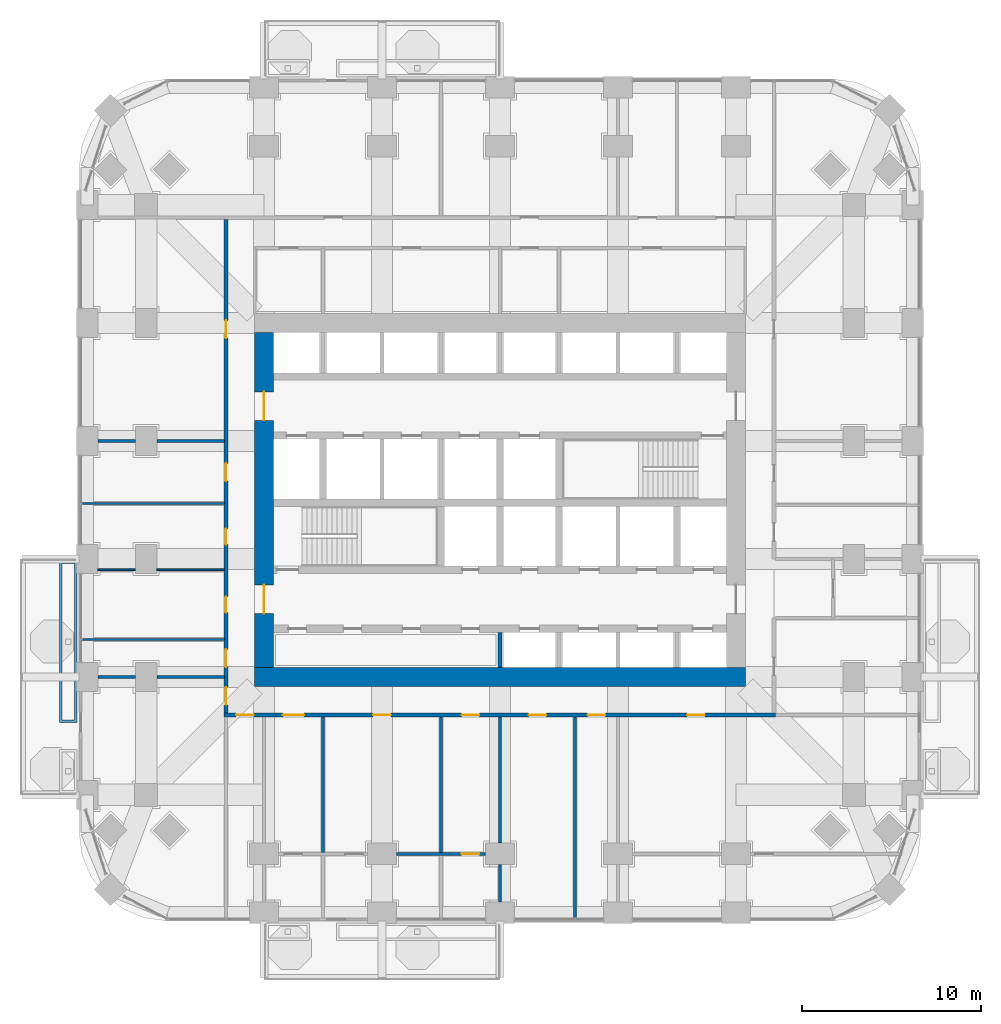
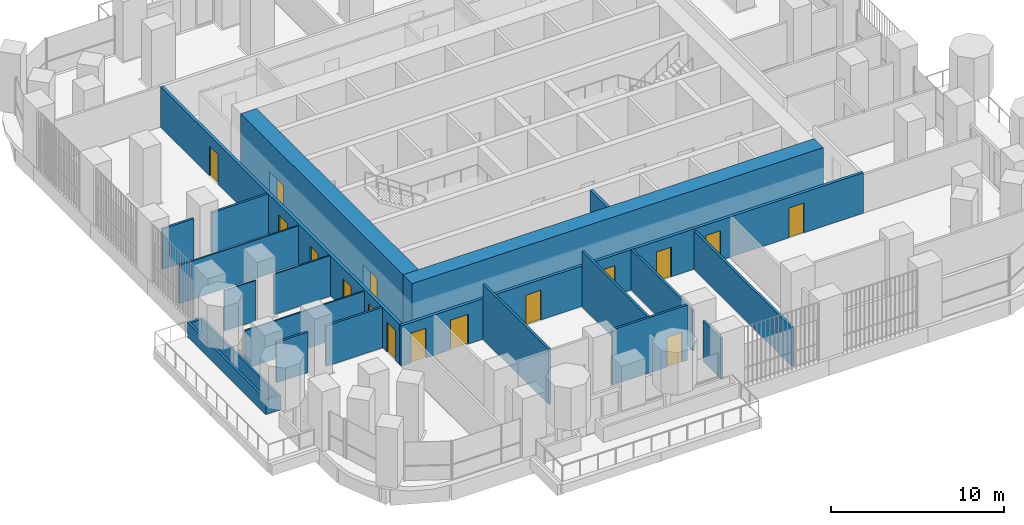
# One storey, part 13 of 21: 20 walls, 16 doors, 16 openings.
"""IFC4 building model written with IfcOpenShell, lengths in metres."""

from ifc_helpers import new_model, si_unit, direction, frame, frame_2d, origin, place, context, subcontext, project, spatial, polyline, rectangle, outline, extrude, material, layer, layer_set, type_object, element, fill, save


model = new_model("IFC4")

# Units and contexts
model_context = context("Model", 3, precision=1e-05, world=origin(), true_north=direction((0.0, 1.0)))
body_context = subcontext(model_context, "Body", "Model", "MODEL_VIEW")
ifc_project = project(units=[si_unit("LENGTHUNIT", "METRE"), si_unit("AREAUNIT", "SQUARE_METRE"), si_unit("VOLUMEUNIT", "CUBIC_METRE"), si_unit("PLANEANGLEUNIT", "RADIAN"), si_unit("MASSUNIT", "GRAM", prefix="KILO")], contexts=[model_context])

# Site, building, storey
site_placement = place(None, origin())
site = spatial("IfcSite", under=ifc_project, at=site_placement, CompositionType="ELEMENT")
building_placement = place(site_placement, origin())
building = spatial("IfcBuilding", under=site, at=building_placement, Name="Cobogo Forest Laboratory Tower", CompositionType="ELEMENT")
storey_placement = place(building_placement, frame((0.0, 0.0, 99.0)))
storey = spatial("IfcBuildingStorey", under=building, at=storey_placement, Name="L22", CompositionType="ELEMENT", Elevation=99.0)

# Wall
ifc_material_1 = material(Name="Concrete HA-50 (C50/60)", Category="concrete")
ifc_layer_1 = layer(ifc_material_1, 1.050048828125)
ifc_layer_set_1 = layer_set([ifc_layer_1], Name="CW1050 core outer wall 1050")
wall_type_1 = type_object("IfcWallType", Name="CW1050 core outer wall 1050", PredefinedType="SHEAR", material=ifc_layer_set_1)
wall_1_placement = place(storey_placement, frame((12.675048828125, 13.199951171875, 0.0), z_axis=(0.0, 0.0, 1.0), x_axis=(1.0, 0.0, 0.0)))
element("IfcWall", 1, at=wall_1_placement, inside=storey, type_object=wall_type_1, Name="Core wall CO-S L22", PredefinedType="SHEAR", context=body_context, shape_type="SweptSolid", body=[
    extrude(rectangle(XDim=27.449951171875, YDim=1.050048828125, at=frame_2d((13.72509765625, 0.0))), origin(), (0.0, 0.0, 1.0), 4.199951171875),
])

# Wall, openings, doors
wall_2_placement = place(storey_placement, frame((13.199951171875, 32.47509765625, 0.0), z_axis=(0.0, 0.0, 1.0), x_axis=(0.0, -1.0, 0.0)))
wall_2 = element("IfcWall", 2, at=wall_2_placement, inside=storey, type_object=wall_type_1, Name="Core wall CO-W L22", PredefinedType="SHEAR", context=body_context, shape_type="SweptSolid", body=[
    extrude(rectangle(XDim=18.75, YDim=1.050048828125, at=frame_2d((9.375, 0.0))), origin(), (0.0, 0.0, 1.0), 4.199951171875),
])
opening_1_placement = place(wall_2_placement, frame((14.125, 0.0, 0.0)))
opening_1 = element("IfcOpeningElement", 3, at=opening_1_placement, cuts=wall_2, Name="Opening L22-D23", PredefinedType="OPENING", context=body_context, shape_type="SweptSolid", body=[
    extrude(rectangle(XDim=1.60009765625, YDim=2.10009765625, at=frame_2d((0.800048828125, 1.050048828125))), frame((0.0, 0.534912109375, 0.0), z_axis=(0.0, -1.0, 0.0), x_axis=(1.0, 0.0, 0.0)), (0.0, 0.0, 1.0), 1.070068359375),
])
opening_2_placement = place(wall_2_placement, frame((3.324951171875, 0.0, 0.0)))
opening_2 = element("IfcOpeningElement", 4, at=opening_2_placement, cuts=wall_2, Name="Opening L22-D34", PredefinedType="OPENING", context=body_context, shape_type="SweptSolid", body=[
    extrude(rectangle(XDim=1.60009765625, YDim=2.10009765625, at=frame_2d((0.800048828125, 1.050048828125))), frame((0.0, 0.534912109375, 0.0), z_axis=(0.0, -1.0, 0.0), x_axis=(1.0, 0.0, 0.0)), (0.0, 0.0, 1.0), 1.070068359375),
])
ifc_material_2 = material(Name="Steel fire door", Category="steel")
door_type_1 = type_object("IfcDoorType", Name="DS2 protected lobby door pair 1600 EI2 60", OperationType="DOUBLE_DOOR_DOUBLE_SWING", PredefinedType="DOOR", material=ifc_material_2)
door_1_placement = place(opening_1_placement, origin())
door_1 = element("IfcDoor", 5, at=door_1_placement, inside=storey, type_object=door_type_1, Name="Door L22-CO-W-S", OperationType="DOUBLE_DOOR_DOUBLE_SWING", OverallHeight=2.10009765625, OverallWidth=1.60009765625, PredefinedType="DOOR", context=body_context, shape_type="SweptSolid", body=[
    extrude(rectangle(XDim=1.60009765625, YDim=2.10009765625, at=frame_2d((0.800048828125, 1.050048828125))), frame((0.0, 0.02490234375, 0.0), z_axis=(0.0, -1.0, 0.0), x_axis=(1.0, 0.0, 0.0)), (0.0, 0.0, 1.0), 0.050048828125),
])
fill(opening_1, door_1)
door_2_placement = place(opening_2_placement, origin())
door_2 = element("IfcDoor", 6, at=door_2_placement, inside=storey, type_object=door_type_1, Name="Door L22-CO-W-N", OperationType="DOUBLE_DOOR_DOUBLE_SWING", OverallHeight=2.10009765625, OverallWidth=1.60009765625, PredefinedType="DOOR", context=body_context, shape_type="SweptSolid", body=[
    extrude(rectangle(XDim=1.60009765625, YDim=2.10009765625, at=frame_2d((0.800048828125, 1.050048828125))), frame((0.0, 0.02490234375, 0.0), z_axis=(0.0, -1.0, 0.0), x_axis=(1.0, 0.0, 0.0)), (0.0, 0.0, 1.0), 0.050048828125),
])
fill(opening_2, door_2)

# Wall, opening, door
ifc_material_3 = material(Name="Gypsum board on steel studs", Category="steel")
ifc_layer_2 = layer(ifc_material_3, 0.14990234375)
ifc_layer_set_2 = layer_set([ifc_layer_2], Name="PT1 laboratory partition 150")
wall_type_2 = type_object("IfcWallType", Name="PT1 laboratory partition 150", PredefinedType="PARTITIONING", material=ifc_layer_set_2)
wall_3_placement = place(storey_placement, frame((20.60009765625, 3.300048828125, 0.0), z_axis=(0.0, 0.0, 1.0), x_axis=(1.0, 0.0, 0.0)))
wall_3 = element("IfcWall", 7, at=wall_3_placement, inside=storey, type_object=wall_type_2, Name="Partition STRIP-S-2 L22", PredefinedType="PARTITIONING", context=body_context, shape_type="SweptSolid", body=[
    extrude(rectangle(XDim=5.0, YDim=0.14990234375, at=frame_2d((2.5, 0.0))), origin(), (0.0, 0.0, 1.0), 3.89990234375),
])
opening_3_placement = place(wall_3_placement, frame((3.64990234375, 0.0, 0.0)))
opening_3 = element("IfcOpeningElement", 8, at=opening_3_placement, cuts=wall_3, Name="Opening L22-D04", PredefinedType="OPENING", context=body_context, shape_type="SweptSolid", body=[
    extrude(rectangle(XDim=1.0, YDim=2.10009765625, at=frame_2d((0.5, 1.050048828125))), frame((0.0, 0.0849609375, 0.0), z_axis=(0.0, -1.0, 0.0), x_axis=(1.0, 0.0, 0.0)), (0.0, 0.0, 1.0), 0.169921875),
])
ifc_material_4 = material(Name="Timber fire door", Category="wood")
door_type_2 = type_object("IfcDoorType", Name="FD2 fire door 1000 EI2 30", OperationType="SINGLE_SWING_LEFT", PredefinedType="DOOR", material=ifc_material_4)
door_3_placement = place(opening_3_placement, origin())
door_3 = element("IfcDoor", 9, at=door_3_placement, inside=storey, type_object=door_type_2, Name="Door L22-S4W", OperationType="SINGLE_SWING_RIGHT", OverallHeight=2.10009765625, OverallWidth=1.0, PredefinedType="DOOR", context=body_context, shape_type="SweptSolid", body=[
    extrude(rectangle(XDim=1.0, YDim=2.10009765625, at=frame_2d((0.5, 1.050048828125))), frame((0.0, 0.02490234375, 0.0), z_axis=(0.0, -1.0, 0.0), x_axis=(1.0, 0.0, 0.0)), (0.0, 0.0, 1.0), 0.050048828125),
])
fill(opening_3, door_3)

# Walls
wall_4_placement = place(storey_placement, frame((30.60009765625, -0.27001953125, 0.0), z_axis=(0.0, 0.0, 1.0), x_axis=(0.0, 1.0, 0.0)))
element("IfcWall", 10, at=wall_4_placement, inside=storey, type_object=wall_type_2, Name="Partition SVC-S1-1 L22", PredefinedType="PARTITIONING", context=body_context, shape_type="SweptSolid", body=[
    extrude(rectangle(XDim=11.2451171875, YDim=0.14990234375, at=frame_2d((5.62255859375, 0.0))), origin(), (0.0, 0.0, 1.0), 2.699951171875),
])
for number, where, z_axis, x_axis, name in (
    (11, (16.5, 3.375, 0.0), (0.0, 0.0, 1.0), (0.0, 1.0, 0.0), "Partition CUT-S16.5b-1 L22"),
    (12, (23.10009765625, 3.375, 0.0), (0.0, 0.0, 1.0), (0.0, 1.0, 0.0), "Partition CUT-S23.1b-1 L22"),
):
    element("IfcWall", number, at=place(storey_placement, frame(where, z_axis=z_axis, x_axis=x_axis)), inside=storey, type_object=wall_type_2, Name=name, PredefinedType="PARTITIONING", context=body_context, shape_type="SweptSolid", body=[
        extrude(rectangle(XDim=7.60009765625, YDim=0.14990234375, at=frame_2d((3.800048828125, 0.0))), origin(), (0.0, 0.0, 1.0), 3.89990234375),
    ])
wall_5_placement = place(storey_placement, frame((26.39990234375, 0.60009765625, 0.0), z_axis=(0.0, 0.0, 1.0), x_axis=(0.0, 1.0, 0.0)))
element("IfcWall", 13, at=wall_5_placement, inside=storey, type_object=wall_type_2, Name="Partition CUT-S26.4-1 L22", PredefinedType="PARTITIONING", context=body_context, shape_type="SweptSolid", body=[
    extrude(rectangle(XDim=2.099853515625, YDim=0.14990234375, at=frame_2d((1.0498046875, 0.0))), origin(), (0.0, 0.0, 1.0), 2.85009765625),
])
wall_6_placement = place(storey_placement, frame((26.39990234375, 3.89990234375, 0.0), z_axis=(0.0, 0.0, 1.0), x_axis=(0.0, 1.0, 0.0)))
element("IfcWall", 14, at=wall_6_placement, inside=storey, type_object=wall_type_2, Name="Partition CUT-S26.4-2 L22", PredefinedType="PARTITIONING", context=body_context, shape_type="SweptSolid", body=[
    extrude(rectangle(XDim=7.0751953125, YDim=0.14990234375, at=frame_2d((3.53759765625, 0.0))), origin(), (0.0, 0.0, 1.0), 2.85009765625),
])
wall_7_placement = place(storey_placement, frame((3.89990234375, 13.199951171875, 0.0), z_axis=(0.0, 0.0, 1.0), x_axis=(1.0, 0.0, 0.0)))
element("IfcWall", 15, at=wall_7_placement, inside=storey, type_object=wall_type_2, Name="Partition CUT-W13.2-1 L22", PredefinedType="PARTITIONING", context=body_context, shape_type="SweptSolid", body=[
    extrude(rectangle(XDim=2.10009765625, YDim=0.14990234375, at=frame_2d((1.050048828125, 0.0))), origin(), (0.0, 0.0, 1.0), 2.85009765625),
])
wall_8_placement = place(storey_placement, frame((7.199951171875, 13.199951171875, 0.0), z_axis=(0.0, 0.0, 1.0), x_axis=(1.0, 0.0, 0.0)))
element("IfcWall", 16, at=wall_8_placement, inside=storey, type_object=wall_type_2, Name="Partition CUT-W13.2-2 L22", PredefinedType="PARTITIONING", context=body_context, shape_type="SweptSolid", body=[
    extrude(rectangle(XDim=3.775146484375, YDim=0.14990234375, at=frame_2d((1.8876953125, 0.0))), origin(), (0.0, 0.0, 1.0), 2.85009765625),
])
wall_9_placement = place(storey_placement, frame((3.89990234375, 26.39990234375, 0.0), z_axis=(0.0, 0.0, 1.0), x_axis=(1.0, 0.0, 0.0)))
element("IfcWall", 17, at=wall_9_placement, inside=storey, type_object=wall_type_2, Name="Partition CUT-W26.4-1 L22", PredefinedType="PARTITIONING", context=body_context, shape_type="SweptSolid", body=[
    extrude(rectangle(XDim=2.10009765625, YDim=0.14990234375, at=frame_2d((1.050048828125, 0.0))), origin(), (0.0, 0.0, 1.0), 2.85009765625),
])
wall_10_placement = place(storey_placement, frame((7.199951171875, 26.39990234375, 0.0), z_axis=(0.0, 0.0, 1.0), x_axis=(1.0, 0.0, 0.0)))
element("IfcWall", 18, at=wall_10_placement, inside=storey, type_object=wall_type_2, Name="Partition CUT-W26.4-2 L22", PredefinedType="PARTITIONING", context=body_context, shape_type="SweptSolid", body=[
    extrude(rectangle(XDim=3.775146484375, YDim=0.14990234375, at=frame_2d((1.8876953125, 0.0))), origin(), (0.0, 0.0, 1.0), 2.85009765625),
])

# Wall, openings, doors
ifc_layer_3 = layer(ifc_material_3, 0.199951171875)
ifc_layer_set_3 = layer_set([ifc_layer_3], Name="PT2 fire-rated corridor partition 200")
wall_type_3 = type_object("IfcWallType", Name="PT2 fire-rated corridor partition 200", PredefinedType="PARTITIONING", material=ifc_layer_set_3)
wall_11_placement = place(storey_placement, frame((10.97509765625, 11.074951171875, 0.0), z_axis=(0.0, 0.0, 1.0), x_axis=(1.0, 0.0, 0.0)))
wall_11 = element("IfcWall", 19, at=wall_11_placement, inside=storey, type_object=wall_type_3, Name="Partition CORR-S L22", PredefinedType="PARTITIONING", context=body_context, shape_type="SweptSolid", body=[
    extrude(rectangle(XDim=30.849853515625, YDim=0.199951171875, at=frame_2d((15.4248046875, 0.0))), origin(), (0.0, 0.0, 1.0), 2.85009765625),
])
opening_4_placement = place(wall_11_placement, frame((0.66259765625, 0.0, 0.0)))
opening_4 = element("IfcOpeningElement", 20, at=opening_4_placement, cuts=wall_11, Name="Opening L22-D08", PredefinedType="OPENING", context=body_context, shape_type="SweptSolid", body=[
    extrude(rectangle(XDim=1.0, YDim=2.10009765625, at=frame_2d((0.5, 1.050048828125))), frame((0.0, 0.10986328125, 0.0), z_axis=(0.0, -1.0, 0.0), x_axis=(1.0, 0.0, 0.0)), (0.0, 0.0, 1.0), 0.219970703125),
])
opening_5_placement = place(wall_11_placement, frame((3.27490234375, 0.0, 0.0)))
opening_5 = element("IfcOpeningElement", 21, at=opening_5_placement, cuts=wall_11, Name="Opening L22-D09", PredefinedType="OPENING", context=body_context, shape_type="SweptSolid", body=[
    extrude(rectangle(XDim=1.199951171875, YDim=2.10009765625, at=frame_2d((0.60009765625, 1.050048828125))), frame((0.0, 0.10986328125, 0.0), z_axis=(0.0, -1.0, 0.0), x_axis=(1.0, 0.0, 0.0)), (0.0, 0.0, 1.0), 0.219970703125),
])
opening_6_placement = place(wall_11_placement, frame((8.324951171875, 0.0, 0.0)))
opening_6 = element("IfcOpeningElement", 22, at=opening_6_placement, cuts=wall_11, Name="Opening L22-D10", PredefinedType="OPENING", context=body_context, shape_type="SweptSolid", body=[
    extrude(rectangle(XDim=1.0, YDim=2.10009765625, at=frame_2d((0.5, 1.050048828125))), frame((0.0, 0.10986328125, 0.0), z_axis=(0.0, -1.0, 0.0), x_axis=(1.0, 0.0, 0.0)), (0.0, 0.0, 1.0), 0.219970703125),
])
opening_7_placement = place(wall_11_placement, frame((13.27490234375, 0.0, 0.0)))
opening_7 = element("IfcOpeningElement", 23, at=opening_7_placement, cuts=wall_11, Name="Opening L22-D11", PredefinedType="OPENING", context=body_context, shape_type="SweptSolid", body=[
    extrude(rectangle(XDim=1.0, YDim=2.10009765625, at=frame_2d((0.5, 1.050048828125))), frame((0.0, 0.10986328125, 0.0), z_axis=(0.0, -1.0, 0.0), x_axis=(1.0, 0.0, 0.0)), (0.0, 0.0, 1.0), 0.219970703125),
])
opening_8_placement = place(wall_11_placement, frame((17.02490234375, 0.0, 0.0)))
opening_8 = element("IfcOpeningElement", 24, at=opening_8_placement, cuts=wall_11, Name="Opening L22-D12", PredefinedType="OPENING", context=body_context, shape_type="SweptSolid", body=[
    extrude(rectangle(XDim=1.0, YDim=2.10009765625, at=frame_2d((0.5, 1.050048828125))), frame((0.0, 0.10986328125, 0.0), z_axis=(0.0, -1.0, 0.0), x_axis=(1.0, 0.0, 0.0)), (0.0, 0.0, 1.0), 0.219970703125),
])
opening_9_placement = place(wall_11_placement, frame((20.324951171875, 0.0, 0.0)))
opening_9 = element("IfcOpeningElement", 25, at=opening_9_placement, cuts=wall_11, Name="Opening L22-D13", PredefinedType="OPENING", context=body_context, shape_type="SweptSolid", body=[
    extrude(rectangle(XDim=1.0, YDim=2.10009765625, at=frame_2d((0.5, 1.050048828125))), frame((0.0, 0.10986328125, 0.0), z_axis=(0.0, -1.0, 0.0), x_axis=(1.0, 0.0, 0.0)), (0.0, 0.0, 1.0), 0.219970703125),
])
opening_10_placement = place(wall_11_placement, frame((25.887451171875, 0.0, 0.0)))
opening_10 = element("IfcOpeningElement", 26, at=opening_10_placement, cuts=wall_11, Name="Opening L22-D14", PredefinedType="OPENING", context=body_context, shape_type="SweptSolid", body=[
    extrude(rectangle(XDim=1.0, YDim=2.10009765625, at=frame_2d((0.5, 1.050048828125))), frame((0.0, 0.10986328125, 0.0), z_axis=(0.0, -1.0, 0.0), x_axis=(1.0, 0.0, 0.0)), (0.0, 0.0, 1.0), 0.219970703125),
])
ifc_material_5 = material(Name="Timber door", Category="wood")
door_type_3 = type_object("IfcDoorType", Name="D2 laboratory door 1200 unequal pair", OperationType="DOUBLE_DOOR_SINGLE_SWING", PredefinedType="DOOR", material=ifc_material_5)
door_4_placement = place(opening_5_placement, origin())
door_4 = element("IfcDoor", 27, at=door_4_placement, inside=storey, type_object=door_type_3, Name="Door L22-S2", OperationType="DOUBLE_DOOR_SINGLE_SWING", OverallHeight=2.10009765625, OverallWidth=1.199951171875, PredefinedType="DOOR", context=body_context, shape_type="SweptSolid", body=[
    extrude(rectangle(XDim=1.199951171875, YDim=2.10009765625, at=frame_2d((0.60009765625, 1.050048828125))), frame((0.0, 0.02490234375, 0.0), z_axis=(0.0, -1.0, 0.0), x_axis=(1.0, 0.0, 0.0)), (0.0, 0.0, 1.0), 0.050048828125),
])
fill(opening_5, door_4)
door_5_placement = place(opening_4_placement, origin())
door_5 = element("IfcDoor", 28, at=door_5_placement, inside=storey, type_object=door_type_2, Name="Door L22-S1", OperationType="SINGLE_SWING_LEFT", OverallHeight=2.10009765625, OverallWidth=1.0, PredefinedType="DOOR", context=body_context, shape_type="SweptSolid", body=[
    extrude(rectangle(XDim=1.0, YDim=2.10009765625, at=frame_2d((0.5, 1.050048828125))), frame((0.0, 0.02490234375, 0.0), z_axis=(0.0, -1.0, 0.0), x_axis=(1.0, 0.0, 0.0)), (0.0, 0.0, 1.0), 0.050048828125),
])
fill(opening_4, door_5)
door_6_placement = place(opening_6_placement, origin())
door_6 = element("IfcDoor", 29, at=door_6_placement, inside=storey, type_object=door_type_2, Name="Door L22-S3", OperationType="SINGLE_SWING_LEFT", OverallHeight=2.10009765625, OverallWidth=1.0, PredefinedType="DOOR", context=body_context, shape_type="SweptSolid", body=[
    extrude(rectangle(XDim=1.0, YDim=2.10009765625, at=frame_2d((0.5, 1.050048828125))), frame((0.0, 0.02490234375, 0.0), z_axis=(0.0, -1.0, 0.0), x_axis=(1.0, 0.0, 0.0)), (0.0, 0.0, 1.0), 0.050048828125),
])
fill(opening_6, door_6)
door_7_placement = place(opening_7_placement, origin())
door_7 = element("IfcDoor", 30, at=door_7_placement, inside=storey, type_object=door_type_2, Name="Door L22-S4", OperationType="SINGLE_SWING_LEFT", OverallHeight=2.10009765625, OverallWidth=1.0, PredefinedType="DOOR", context=body_context, shape_type="SweptSolid", body=[
    extrude(rectangle(XDim=1.0, YDim=2.10009765625, at=frame_2d((0.5, 1.050048828125))), frame((0.0, 0.02490234375, 0.0), z_axis=(0.0, -1.0, 0.0), x_axis=(1.0, 0.0, 0.0)), (0.0, 0.0, 1.0), 0.050048828125),
])
fill(opening_7, door_7)
door_8_placement = place(opening_8_placement, origin())
door_8 = element("IfcDoor", 31, at=door_8_placement, inside=storey, type_object=door_type_2, Name="Door L22-MTG", OperationType="SINGLE_SWING_RIGHT", OverallHeight=2.10009765625, OverallWidth=1.0, PredefinedType="DOOR", context=body_context, shape_type="SweptSolid", body=[
    extrude(rectangle(XDim=1.0, YDim=2.10009765625, at=frame_2d((0.5, 1.050048828125))), frame((0.0, 0.02490234375, 0.0), z_axis=(0.0, -1.0, 0.0), x_axis=(1.0, 0.0, 0.0)), (0.0, 0.0, 1.0), 0.050048828125),
])
fill(opening_8, door_8)
door_9_placement = place(opening_9_placement, origin())
door_9 = element("IfcDoor", 32, at=door_9_placement, inside=storey, type_object=door_type_2, Name="Door L22-PAN", OperationType="SINGLE_SWING_RIGHT", OverallHeight=2.10009765625, OverallWidth=1.0, PredefinedType="DOOR", context=body_context, shape_type="SweptSolid", body=[
    extrude(rectangle(XDim=1.0, YDim=2.10009765625, at=frame_2d((0.5, 1.050048828125))), frame((0.0, 0.02490234375, 0.0), z_axis=(0.0, -1.0, 0.0), x_axis=(1.0, 0.0, 0.0)), (0.0, 0.0, 1.0), 0.050048828125),
])
fill(opening_9, door_9)
door_10_placement = place(opening_10_placement, origin())
door_10 = element("IfcDoor", 33, at=door_10_placement, inside=storey, type_object=door_type_2, Name="Door L22-S5", OperationType="SINGLE_SWING_RIGHT", OverallHeight=2.10009765625, OverallWidth=1.0, PredefinedType="DOOR", context=body_context, shape_type="SweptSolid", body=[
    extrude(rectangle(XDim=1.0, YDim=2.10009765625, at=frame_2d((0.5, 1.050048828125))), frame((0.0, 0.02490234375, 0.0), z_axis=(0.0, -1.0, 0.0), x_axis=(1.0, 0.0, 0.0)), (0.0, 0.0, 1.0), 0.050048828125),
])
fill(opening_10, door_10)

wall_12_placement = place(storey_placement, frame((11.074951171875, 11.175048828125, 0.0), z_axis=(0.0, 0.0, 1.0), x_axis=(0.0, 1.0, 0.0)))
wall_12 = element("IfcWall", 34, at=wall_12_placement, inside=storey, type_object=wall_type_3, Name="Partition CORR-W L22", PredefinedType="PARTITIONING", context=body_context, shape_type="SweptSolid", body=[
    extrude(rectangle(XDim=27.625, YDim=0.199951171875, at=frame_2d((13.8125, 0.0))), origin(), (0.0, 0.0, 1.0), 2.85009765625),
])
opening_11_placement = place(wall_12_placement, frame((0.46240234375, 0.0, 0.0)))
opening_11 = element("IfcOpeningElement", 35, at=opening_11_placement, cuts=wall_12, Name="Opening L22-D15", PredefinedType="OPENING", context=body_context, shape_type="SweptSolid", body=[
    extrude(rectangle(XDim=1.0, YDim=2.10009765625, at=frame_2d((0.5, 1.050048828125))), frame((0.0, 0.10986328125, 0.0), z_axis=(0.0, -1.0, 0.0), x_axis=(1.0, 0.0, 0.0)), (0.0, 0.0, 1.0), 0.219970703125),
])
opening_12_placement = place(wall_12_placement, frame((2.574951171875, 0.0, 0.0)))
opening_12 = element("IfcOpeningElement", 36, at=opening_12_placement, cuts=wall_12, Name="Opening L22-D17", PredefinedType="OPENING", context=body_context, shape_type="SweptSolid", body=[
    extrude(rectangle(XDim=1.0, YDim=2.10009765625, at=frame_2d((0.5, 1.050048828125))), frame((0.0, 0.10986328125, 0.0), z_axis=(0.0, -1.0, 0.0), x_axis=(1.0, 0.0, 0.0)), (0.0, 0.0, 1.0), 0.219970703125),
])
opening_13_placement = place(wall_12_placement, frame((5.625, 0.0, 0.0)))
opening_13 = element("IfcOpeningElement", 37, at=opening_13_placement, cuts=wall_12, Name="Opening L22-D22", PredefinedType="OPENING", context=body_context, shape_type="SweptSolid", body=[
    extrude(rectangle(XDim=0.89990234375, YDim=2.10009765625, at=frame_2d((0.449951171875, 1.050048828125))), frame((0.0, 0.10986328125, 0.0), z_axis=(0.0, -1.0, 0.0), x_axis=(1.0, 0.0, 0.0)), (0.0, 0.0, 1.0), 0.219970703125),
])
opening_14_placement = place(wall_12_placement, frame((9.425048828125, 0.0, 0.0)))
opening_14 = element("IfcOpeningElement", 38, at=opening_14_placement, cuts=wall_12, Name="Opening L22-D29", PredefinedType="OPENING", context=body_context, shape_type="SweptSolid", body=[
    extrude(rectangle(XDim=0.89990234375, YDim=2.10009765625, at=frame_2d((0.449951171875, 1.050048828125))), frame((0.0, 0.10986328125, 0.0), z_axis=(0.0, -1.0, 0.0), x_axis=(1.0, 0.0, 0.0)), (0.0, 0.0, 1.0), 0.219970703125),
])
opening_15_placement = place(wall_12_placement, frame((12.97509765625, 0.0, 0.0)))
opening_15 = element("IfcOpeningElement", 39, at=opening_15_placement, cuts=wall_12, Name="Opening L22-D32", PredefinedType="OPENING", context=body_context, shape_type="SweptSolid", body=[
    extrude(rectangle(XDim=1.0, YDim=2.10009765625, at=frame_2d((0.5, 1.050048828125))), frame((0.0, 0.10986328125, 0.0), z_axis=(0.0, -1.0, 0.0), x_axis=(1.0, 0.0, 0.0)), (0.0, 0.0, 1.0), 0.219970703125),
])
opening_16_placement = place(wall_12_placement, frame((20.97509765625, 0.0, 0.0)))
opening_16 = element("IfcOpeningElement", 40, at=opening_16_placement, cuts=wall_12, Name="Opening L22-D36", PredefinedType="OPENING", context=body_context, shape_type="SweptSolid", body=[
    extrude(rectangle(XDim=1.0, YDim=2.10009765625, at=frame_2d((0.5, 1.050048828125))), frame((0.0, 0.10986328125, 0.0), z_axis=(0.0, -1.0, 0.0), x_axis=(1.0, 0.0, 0.0)), (0.0, 0.0, 1.0), 0.219970703125),
])
door_11_placement = place(opening_11_placement, origin())
door_11 = element("IfcDoor", 41, at=door_11_placement, inside=storey, type_object=door_type_2, Name="Door L22-W1", OperationType="SINGLE_SWING_LEFT", OverallHeight=2.10009765625, OverallWidth=1.0, PredefinedType="DOOR", context=body_context, shape_type="SweptSolid", body=[
    extrude(rectangle(XDim=1.0, YDim=2.10009765625, at=frame_2d((0.5, 1.050048828125))), frame((0.0, 0.02490234375, 0.0), z_axis=(0.0, -1.0, 0.0), x_axis=(1.0, 0.0, 0.0)), (0.0, 0.0, 1.0), 0.050048828125),
])
fill(opening_11, door_11)
door_12_placement = place(opening_15_placement, origin())
door_12 = element("IfcDoor", 42, at=door_12_placement, inside=storey, type_object=door_type_2, Name="Door L22-SHW", OperationType="SINGLE_SWING_LEFT", OverallHeight=2.10009765625, OverallWidth=1.0, PredefinedType="DOOR", context=body_context, shape_type="SweptSolid", body=[
    extrude(rectangle(XDim=1.0, YDim=2.10009765625, at=frame_2d((0.5, 1.050048828125))), frame((0.0, 0.02490234375, 0.0), z_axis=(0.0, -1.0, 0.0), x_axis=(1.0, 0.0, 0.0)), (0.0, 0.0, 1.0), 0.050048828125),
])
fill(opening_15, door_12)
door_13_placement = place(opening_16_placement, origin())
door_13 = element("IfcDoor", 43, at=door_13_placement, inside=storey, type_object=door_type_2, Name="Door L22-W3", OperationType="SINGLE_SWING_RIGHT", OverallHeight=2.10009765625, OverallWidth=1.0, PredefinedType="DOOR", context=body_context, shape_type="SweptSolid", body=[
    extrude(rectangle(XDim=1.0, YDim=2.10009765625, at=frame_2d((0.5, 1.050048828125))), frame((0.0, 0.02490234375, 0.0), z_axis=(0.0, -1.0, 0.0), x_axis=(1.0, 0.0, 0.0)), (0.0, 0.0, 1.0), 0.050048828125),
])
fill(opening_16, door_13)
door_type_4 = type_object("IfcDoorType", Name="FD3 toilet fire door 900 EI2 30", OperationType="SINGLE_SWING_LEFT", PredefinedType="DOOR", material=ifc_material_4)
door_14_placement = place(opening_13_placement, origin())
door_14 = element("IfcDoor", 44, at=door_14_placement, inside=storey, type_object=door_type_4, Name="Door L22-WCF", OperationType="SINGLE_SWING_LEFT", OverallHeight=2.10009765625, OverallWidth=0.89990234375, PredefinedType="DOOR", context=body_context, shape_type="SweptSolid", body=[
    extrude(rectangle(XDim=0.89990234375, YDim=2.10009765625, at=frame_2d((0.449951171875, 1.050048828125))), frame((0.0, 0.02490234375, 0.0), z_axis=(0.0, -1.0, 0.0), x_axis=(1.0, 0.0, 0.0)), (0.0, 0.0, 1.0), 0.050048828125),
])
fill(opening_13, door_14)
door_15_placement = place(opening_14_placement, origin())
door_15 = element("IfcDoor", 45, at=door_15_placement, inside=storey, type_object=door_type_4, Name="Door L22-WCM", OperationType="SINGLE_SWING_LEFT", OverallHeight=2.10009765625, OverallWidth=0.89990234375, PredefinedType="DOOR", context=body_context, shape_type="SweptSolid", body=[
    extrude(rectangle(XDim=0.89990234375, YDim=2.10009765625, at=frame_2d((0.449951171875, 1.050048828125))), frame((0.0, 0.02490234375, 0.0), z_axis=(0.0, -1.0, 0.0), x_axis=(1.0, 0.0, 0.0)), (0.0, 0.0, 1.0), 0.050048828125),
])
fill(opening_14, door_15)
door_type_5 = type_object("IfcDoorType", Name="FDA1 accessible toilet fire door 1000 EI2 30", OperationType="SINGLE_SWING_RIGHT", PredefinedType="DOOR", material=ifc_material_4)
door_16_placement = place(opening_12_placement, origin())
door_16 = element("IfcDoor", 46, at=door_16_placement, inside=storey, type_object=door_type_5, Name="Door L22-WCA", OperationType="SINGLE_SWING_LEFT", OverallHeight=2.10009765625, OverallWidth=1.0, PredefinedType="DOOR", context=body_context, shape_type="SweptSolid", body=[
    extrude(rectangle(XDim=1.0, YDim=2.10009765625, at=frame_2d((0.5, 1.050048828125))), frame((0.0, 0.02490234375, 0.0), z_axis=(0.0, -1.0, 0.0), x_axis=(1.0, 0.0, 0.0)), (0.0, 0.0, 1.0), 0.050048828125),
])
fill(opening_12, door_16)

# Walls
ifc_layer_4 = layer(ifc_material_3, 0.10009765625)
ifc_layer_set_4 = layer_set([ifc_layer_4], Name="PT3 toilet partition 100")
wall_type_4 = type_object("IfcWallType", Name="PT3 toilet partition 100", PredefinedType="PARTITIONING", material=ifc_layer_set_4)
wall_13_placement = place(storey_placement, frame((3.030029296875, 15.300048828125, 0.0), z_axis=(0.0, 0.0, 1.0), x_axis=(1.0, 0.0, 0.0)))
element("IfcWall", 47, at=wall_13_placement, inside=storey, type_object=wall_type_4, Name="Partition SVC-W1-1 L22", PredefinedType="PARTITIONING", context=body_context, shape_type="SweptSolid", body=[
    extrude(rectangle(XDim=7.945068359375, YDim=0.10009765625, at=frame_2d((3.97265625, 0.0))), origin(), (0.0, 0.0, 1.0), 2.699951171875),
])
wall_14_placement = place(storey_placement, frame((3.89990234375, 19.199951171875, 0.0), z_axis=(0.0, 0.0, 1.0), x_axis=(1.0, 0.0, 0.0)))
element("IfcWall", 48, at=wall_14_placement, inside=storey, type_object=wall_type_4, Name="Partition SVC-W2-1 L22", PredefinedType="PARTITIONING", context=body_context, shape_type="SweptSolid", body=[
    extrude(rectangle(XDim=2.10009765625, YDim=0.10009765625, at=frame_2d((1.050048828125, 0.0))), origin(), (0.0, 0.0, 1.0), 2.85009765625),
])
wall_15_placement = place(storey_placement, frame((7.199951171875, 19.199951171875, 0.0), z_axis=(0.0, 0.0, 1.0), x_axis=(1.0, 0.0, 0.0)))
element("IfcWall", 49, at=wall_15_placement, inside=storey, type_object=wall_type_4, Name="Partition SVC-W2-2 L22", PredefinedType="PARTITIONING", context=body_context, shape_type="SweptSolid", body=[
    extrude(rectangle(XDim=3.775146484375, YDim=0.10009765625, at=frame_2d((1.8876953125, 0.0))), origin(), (0.0, 0.0, 1.0), 2.85009765625),
])
wall_16_placement = place(storey_placement, frame((3.030029296875, 22.89990234375, 0.0), z_axis=(0.0, 0.0, 1.0), x_axis=(1.0, 0.0, 0.0)))
element("IfcWall", 50, at=wall_16_placement, inside=storey, type_object=wall_type_4, Name="Partition SVC-W3-1 L22", PredefinedType="PARTITIONING", context=body_context, shape_type="SweptSolid", body=[
    extrude(rectangle(XDim=7.945068359375, YDim=0.10009765625, at=frame_2d((3.97265625, 0.0))), origin(), (0.0, 0.0, 1.0), 2.699951171875),
])
ifc_material_6 = material(Name="Concrete HA-40 (C40/50)", Category="concrete")
ifc_layer_5 = layer(ifc_material_6, 0.14990234375)
ifc_layer_set_5 = layer_set([ifc_layer_5], Name="Planter box 1000x1050")
wall_type_5 = type_object("IfcWallType", Name="Planter box 1000x1050", PredefinedType="USERDEFINED", material=ifc_layer_set_5)
wall_17_placement = place(storey_placement, origin())
element("IfcWall", 51, at=wall_17_placement, inside=storey, type_object=wall_type_5, Name="Planter BAL-W1-2 L22", ObjectType="PLANTER", PredefinedType="USERDEFINED", context=body_context, shape_type="SweptSolid", body=[
    extrude(outline(polyline([(1.75, 10.64990234375), (2.75, 10.64990234375), (2.75, 19.699951171875), (1.75, 19.699951171875), (1.75, 10.64990234375)]), holes=[polyline([(1.89990234375, 10.800048828125), (2.60009765625, 10.800048828125), (2.60009765625, 19.550048828125), (1.89990234375, 19.550048828125), (1.89990234375, 10.800048828125)])]), origin(), (0.0, 0.0, 1.0), 1.050048828125),
])
ifc_material_7 = material(Name="Concrete block", Category="concrete")
ifc_layer_6 = layer(ifc_material_7, 0.199951171875)
ifc_layer_set_6 = layer_set([ifc_layer_6], Name="SW200 lift shaft separator 200")
wall_type_6 = type_object("IfcWallType", Name="SW200 lift shaft separator 200", PredefinedType="PARTITIONING", material=ifc_layer_set_6)
wall_18_placement = place(storey_placement, frame((26.39990234375, 13.72509765625, 0.0), z_axis=(0.0, 0.0, 1.0), x_axis=(0.0, 1.0, 0.0)))
element("IfcWall", 52, at=wall_18_placement, inside=storey, type_object=wall_type_6, Name="Core wall SEP-S4 L22", PredefinedType="PARTITIONING", context=body_context, shape_type="SweptSolid", body=[
    extrude(rectangle(XDim=1.974853515625, YDim=0.199951171875, at=frame_2d((0.9873046875, 0.0))), origin(), (0.0, 0.0, 1.0), 4.199951171875),
])

save(model, "model.ifc")
